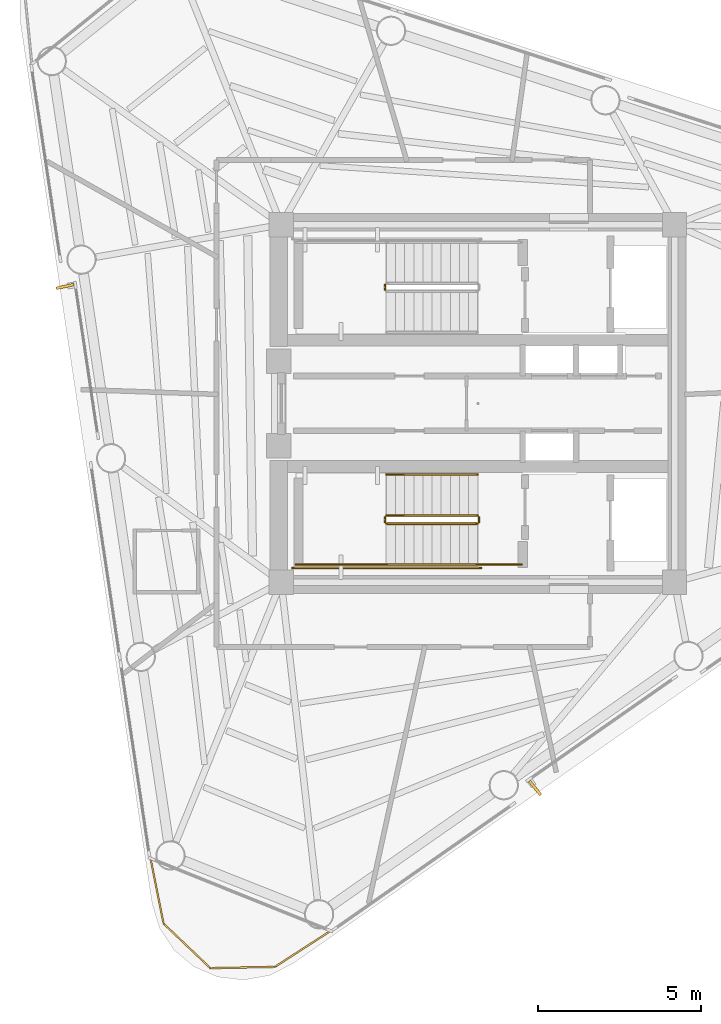
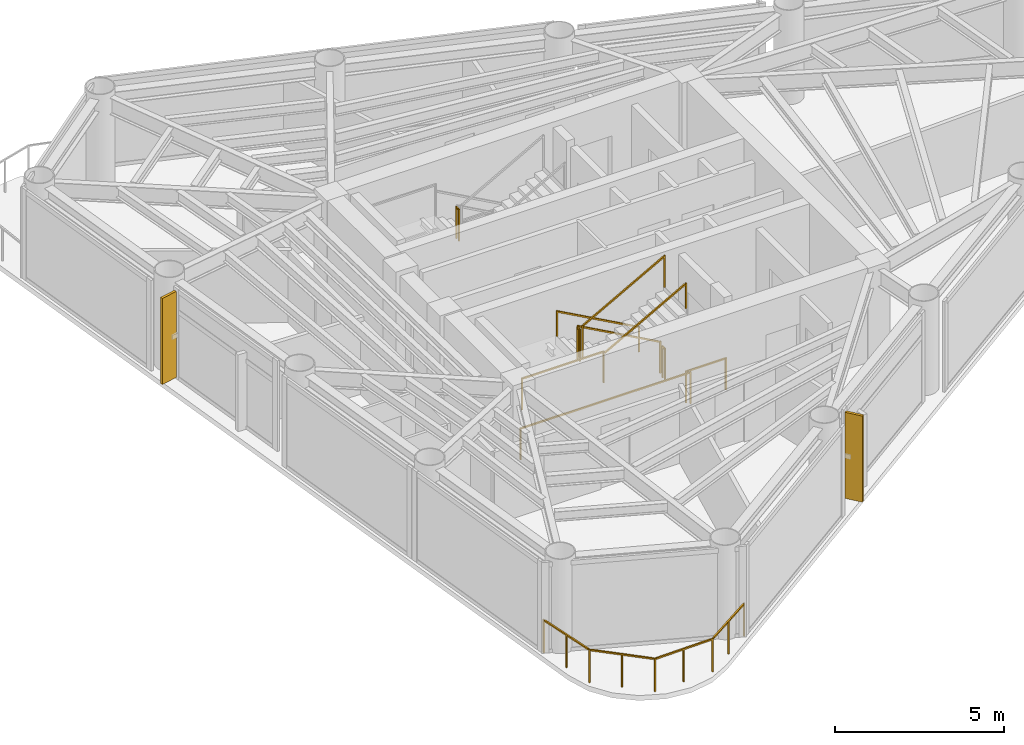
# One storey, part 7 of 9: 11 railings, 2 shading devices.
"""IFC4 building model written with IfcOpenShell, lengths in metres."""

from ifc_helpers import new_model, si_unit, direction, frame, origin, origin_2d, place, context, subcontext, project, spatial, rectangle, extrude, source, transform, mapped, material, material_profile, profile_set, type_object, element, save


model = new_model("IFC4")

# Units and contexts
model_context = context("Model", 3, precision=1e-05, world=origin(), true_north=direction((0.0, 1.0)))
body_context = subcontext(model_context, "Body", "Model", "MODEL_VIEW")
ifc_project = project(units=[si_unit("LENGTHUNIT", "METRE"), si_unit("AREAUNIT", "SQUARE_METRE"), si_unit("VOLUMEUNIT", "CUBIC_METRE"), si_unit("PLANEANGLEUNIT", "RADIAN"), si_unit("MASSUNIT", "GRAM", prefix="KILO")], contexts=[model_context])

# Site, building, storey
site_placement = place(None, origin())
site = spatial("IfcSite", under=ifc_project, at=site_placement, CompositionType="ELEMENT")
building_placement = place(site_placement, origin())
building = spatial("IfcBuilding", under=site, at=building_placement, Name="Yunling Apex Tower", CompositionType="ELEMENT")
storey_placement = place(building_placement, frame((0.0, 0.0, 260.949951171875)))
storey = spatial("IfcBuildingStorey", under=building, at=storey_placement, Name="L63", CompositionType="ELEMENT", Elevation=260.949951171875)

# Railings
ifc_material_1 = material(Name="Bronze anodised aluminium", Category="aluminium")
railing_type_1 = type_object("IfcRailingType", Name="RL-BAL-1200", PredefinedType="BALUSTRADE", material=ifc_material_1)
railing_1_placement = place(storey_placement, frame((-4.528564453125, -16.22509765625, 0.0)))
element("IfcRailing", 1, at=railing_1_placement, inside=storey, type_object=railing_type_1, Name="RL-CRNSILL-L63-3", PredefinedType="BALUSTRADE", context=body_context, shape_type="SweptSolid", body=[
    extrude(rectangle(XDim=0.0439453125, YDim=0.0439453125, at=origin_2d()), origin(), (0.0, 0.0, 1.0), 1.199951171875),
    extrude(rectangle(XDim=0.0439453125, YDim=0.0439453125, at=origin_2d()), frame((-1.718017578125, -1.109130859375, 0.0)), (0.0, 0.0, 1.0), 1.199951171875),
    extrude(rectangle(XDim=0.050048828125, YDim=0.050048828125, at=origin_2d()), frame((-0.0322265625, -0.020751953125, 1.1748046875), z_axis=(-0.840133449473, -0.542379744345, 0.0), x_axis=(0.542379744345, -0.840133449473, 0.0)), (0.0, 0.0, 1.0), 1.96826171875),
    extrude(rectangle(XDim=0.0439453125, YDim=0.0439453125, at=origin_2d()), frame((-0.85888671875, -0.5546875, 0.0)), (0.0, 0.0, 1.0), 1.14599609375),
    extrude(rectangle(XDim=0.0439453125, YDim=0.0439453125, at=origin_2d()), frame((-3.700439453125, -1.147705078125, 0.0)), (0.0, 0.0, 1.0), 1.199951171875),
    extrude(rectangle(XDim=0.050048828125, YDim=0.050048828125, at=origin_2d()), frame((-1.75634765625, -1.10986328125, 1.1748046875), z_axis=(-0.999810744366, -0.019454445518, 0.0), x_axis=(0.019454445518, -0.999810744366, 0.0)), (0.0, 0.0, 1.0), 1.90625),
    extrude(rectangle(XDim=0.0439453125, YDim=0.0439453125, at=origin_2d()), frame((-2.709228515625, -1.12841796875, 0.0)), (0.0, 0.0, 1.0), 1.14599609375),
    extrude(rectangle(XDim=0.0439453125, YDim=0.0439453125, at=origin_2d()), frame((-5.141845703125, 0.223388671875, 0.0)), (0.0, 0.0, 1.0), 1.199951171875),
    extrude(rectangle(XDim=0.050048828125, YDim=0.050048828125, at=origin_2d()), frame((-3.728271484375, -1.121337890625, 1.1748046875), z_axis=(-0.72455806169, 0.689213765998, 0.0), x_axis=(-0.689213765998, -0.72455806169, 0.0)), (0.0, 0.0, 1.0), 1.91259765625),
    extrude(rectangle(XDim=0.0439453125, YDim=0.0439453125, at=origin_2d()), frame((-4.421142578125, -0.462158203125, 0.0)), (0.0, 0.0, 1.0), 1.14599609375),
    extrude(rectangle(XDim=0.0439453125, YDim=0.0439453125, at=origin_2d()), frame((-5.542236328125, 2.228271484375, 0.0)), (0.0, 0.0, 1.0), 1.199951171875),
    extrude(rectangle(XDim=0.050048828125, YDim=0.050048828125, at=origin_2d()), frame((-5.1494140625, 0.260986328125, 1.1748046875), z_axis=(-0.195840554381, 0.980635751571, 0.0), x_axis=(-0.980635751571, -0.195840554381, 0.0)), (0.0, 0.0, 1.0), 1.9677734375),
    extrude(rectangle(XDim=0.0439453125, YDim=0.0439453125, at=origin_2d()), frame((-5.342041015625, 1.225830078125, 0.0)), (0.0, 0.0, 1.0), 1.14599609375),
])
ifc_material_2 = material(Name="Steel Q355B", Category="steel")
railing_type_2 = type_object("IfcRailingType", Name="RL-GRD-1150", PredefinedType="GUARDRAIL", material=ifc_material_2)
railing_2_placement = place(storey_placement, frame((-2.860107421875, 3.64990234375, 1.699951171875)))
element("IfcRailing", 2, at=railing_2_placement, inside=storey, type_object=railing_type_2, Name="L63 ST-1 stair guard 2", PredefinedType="GUARDRAIL", context=body_context, shape_type="SweptSolid", body=[
    extrude(rectangle(XDim=0.0439453125, YDim=0.0439453125, at=origin_2d()), origin(), (0.0, 0.0, 1.0), 1.14990234375),
    extrude(rectangle(XDim=0.0439453125, YDim=0.0439453125, at=origin_2d()), frame((0.0, -0.14990234375, 0.0)), (0.0, 0.0, 1.0), 1.14990234375),
    extrude(rectangle(XDim=0.050048828125, YDim=0.050048828125, at=origin_2d()), frame((0.0, -0.038330078125, 1.125), z_axis=(0.0, -1.0, 0.0), x_axis=(1.0, 0.0, 0.0)), (0.0, 0.0, 1.0), 0.0732421875),
])
railing_3_placement = place(storey_placement, frame((-0.010009765625, -3.449951171875, 0.154541015625)))
element("IfcRailing", 3, at=railing_3_placement, inside=storey, type_object=railing_type_2, Name="L63 ST-2 stair guard 1", PredefinedType="GUARDRAIL", context=body_context, shape_type="SweptSolid", body=[
    extrude(rectangle(XDim=0.0439453125, YDim=0.0439453125, at=origin_2d()), origin(), (0.0, 0.0, 1.0), 1.14990234375),
    extrude(rectangle(XDim=0.0439453125, YDim=0.0439453125, at=origin_2d()), frame((-2.800048828125, 0.0, 1.54541015625)), (0.0, 0.0, 1.0), 1.14990234375),
    extrude(rectangle(XDim=0.050048828125, YDim=0.050048828125, at=origin_2d()), frame((-0.033447265625, 0.0, 1.143310546875), z_axis=(-0.875504190374, 0.0, 0.483210526207), x_axis=(0.0, -1.0, 0.0)), (0.0, 0.0, 1.0), 3.12158203125),
])
railing_4_placement = place(storey_placement, frame((-2.860107421875, -3.5, 1.699951171875)))
element("IfcRailing", 4, at=railing_4_placement, inside=storey, type_object=railing_type_2, Name="L63 ST-2 stair guard 2", PredefinedType="GUARDRAIL", context=body_context, shape_type="SweptSolid", body=[
    extrude(rectangle(XDim=0.0439453125, YDim=0.0439453125, at=origin_2d()), origin(), (0.0, 0.0, 1.0), 1.14990234375),
    extrude(rectangle(XDim=0.0439453125, YDim=0.0439453125, at=origin_2d()), frame((0.0, -0.14990234375, 0.0)), (0.0, 0.0, 1.0), 1.14990234375),
    extrude(rectangle(XDim=0.050048828125, YDim=0.050048828125, at=origin_2d()), frame((0.0, -0.038330078125, 1.125), z_axis=(0.0, -1.0, 0.0), x_axis=(1.0, 0.0, 0.0)), (0.0, 0.0, 1.0), 0.0732421875),
])
railing_5_placement = place(storey_placement, frame((-2.81005859375, -4.9599609375, 1.699951171875)))
element("IfcRailing", 5, at=railing_5_placement, inside=storey, type_object=railing_type_2, Name="L63 ST-2 stair guard 3", PredefinedType="GUARDRAIL", context=body_context, shape_type="SweptSolid", body=[
    extrude(rectangle(XDim=0.0439453125, YDim=0.0439453125, at=origin_2d()), origin(), (0.0, 0.0, 1.0), 1.14990234375),
    extrude(rectangle(XDim=0.0439453125, YDim=0.0439453125, at=origin_2d()), frame((-2.7900390625, 0.0, 0.0)), (0.0, 0.0, 1.0), 1.14990234375),
    extrude(rectangle(XDim=0.050048828125, YDim=0.050048828125, at=origin_2d()), frame((-0.038330078125, 0.0, 1.125), z_axis=(-1.0, 0.0, 0.0), x_axis=(0.0, -1.0, 0.0)), (0.0, 0.0, 1.0), 2.71337890625),
])
railing_6_placement = place(storey_placement, frame((-2.81005859375, -3.699951171875, 1.8544921875)))
element("IfcRailing", 6, at=railing_6_placement, inside=storey, type_object=railing_type_2, Name="L63 ST-2 stair guard 4", PredefinedType="GUARDRAIL", context=body_context, shape_type="SweptSolid", body=[
    extrude(rectangle(XDim=0.0439453125, YDim=0.0439453125, at=origin_2d()), origin(), (0.0, 0.0, 1.0), 1.14990234375),
    extrude(rectangle(XDim=0.0439453125, YDim=0.0439453125, at=origin_2d()), frame((2.800048828125, 0.0, 1.545654296875)), (0.0, 0.0, 1.0), 1.14990234375),
    extrude(rectangle(XDim=0.050048828125, YDim=0.050048828125, at=origin_2d()), frame((0.033447265625, 0.0, 1.143310546875), z_axis=(0.875471895205, 0.0, 0.483269035534), x_axis=(0.0, 1.0, 0.0)), (0.0, 0.0, 1.0), 3.12158203125),
])
railing_7_placement = place(storey_placement, frame((0.0400390625, -3.5, 0.0)))
element("IfcRailing", 7, at=railing_7_placement, inside=storey, type_object=railing_type_2, Name="L63 ST-2 stair guard 5", PredefinedType="GUARDRAIL", context=body_context, shape_type="SweptSolid", body=[
    extrude(rectangle(XDim=0.0439453125, YDim=0.0439453125, at=origin_2d()), origin(), (0.0, 0.0, 1.0), 1.14990234375),
    extrude(rectangle(XDim=0.0439453125, YDim=0.0439453125, at=origin_2d()), frame((0.0, -0.14990234375, 0.0)), (0.0, 0.0, 1.0), 1.14990234375),
    extrude(rectangle(XDim=0.050048828125, YDim=0.050048828125, at=origin_2d()), frame((0.0, -0.038330078125, 1.125), z_axis=(0.0, -1.0, 0.0), x_axis=(1.0, 0.0, 0.0)), (0.0, 0.0, 1.0), 0.0732421875),
])
railing_8_placement = place(storey_placement, frame((1.35009765625, -4.9599609375, 0.0)))
element("IfcRailing", 8, at=railing_8_placement, inside=storey, type_object=railing_type_2, Name="L63 ST-2 stair guard 6", PredefinedType="GUARDRAIL", context=body_context, shape_type="SweptSolid", body=[
    extrude(rectangle(XDim=0.0439453125, YDim=0.0439453125, at=origin_2d()), origin(), (0.0, 0.0, 1.0), 1.14990234375),
    extrude(rectangle(XDim=0.0439453125, YDim=0.0439453125, at=origin_2d()), frame((-1.360107421875, 0.0, 0.0)), (0.0, 0.0, 1.0), 1.14990234375),
    extrude(rectangle(XDim=0.050048828125, YDim=0.050048828125, at=origin_2d()), frame((-0.038330078125, 0.0, 1.125), z_axis=(-1.0, 0.0, 0.0), x_axis=(0.0, -1.0, 0.0)), (0.0, 0.0, 1.0), 1.283447265625),
])
railing_9_placement = place(storey_placement, frame((0.090087890625, -5.06005859375, 0.0)))
element("IfcRailing", 9, at=railing_9_placement, inside=storey, type_object=railing_type_2, Name="L63 ST-2 stair guard 7", PredefinedType="GUARDRAIL", context=body_context, shape_type="SweptSolid", body=[
    extrude(rectangle(XDim=0.0439453125, YDim=0.0439453125, at=origin_2d()), origin(), (0.0, 0.0, 1.0), 1.14990234375),
    extrude(rectangle(XDim=0.0439453125, YDim=0.0439453125, at=origin_2d()), frame((-5.7900390625, 0.0, 0.0)), (0.0, 0.0, 1.0), 1.14990234375),
    extrude(rectangle(XDim=0.050048828125, YDim=0.050048828125, at=origin_2d()), frame((-0.038330078125, 0.0, 1.125), z_axis=(-1.0, 0.0, 0.0), x_axis=(0.0, -1.0, 0.0)), (0.0, 0.0, 1.0), 5.71337890625),
])
ifc_material_3 = material(Name="Silver anodised aluminium", Category="aluminium")
railing_type_3 = type_object("IfcRailingType", Name="RL-HND-900", PredefinedType="HANDRAIL", material=ifc_material_3)
railing_10_placement = place(storey_placement, frame((-0.010009765625, -2.18994140625, 0.154541015625)))
element("IfcRailing", 10, at=railing_10_placement, inside=storey, type_object=railing_type_3, Name="L63 ST-2 stair handrail 1", PredefinedType="HANDRAIL", context=body_context, shape_type="SweptSolid", body=[
    extrude(rectangle(XDim=0.0439453125, YDim=0.0439453125, at=origin_2d()), origin(), (0.0, 0.0, 1.0), 0.919921875),
    extrude(rectangle(XDim=0.0439453125, YDim=0.0439453125, at=origin_2d()), frame((-2.800048828125, 0.0, 1.54541015625)), (0.0, 0.0, 1.0), 0.919921875),
    extrude(rectangle(XDim=0.050048828125, YDim=0.050048828125, at=origin_2d()), frame((-0.033447265625, 0.0, 0.913330078125), z_axis=(-0.875504190374, 0.0, 0.483210526207), x_axis=(0.0, -1.0, 0.0)), (0.0, 0.0, 1.0), 3.12158203125),
])
railing_11_placement = place(storey_placement, frame((-2.81005859375, -4.9599609375, 1.8544921875)))
element("IfcRailing", 11, at=railing_11_placement, inside=storey, type_object=railing_type_3, Name="L63 ST-2 stair handrail 2", PredefinedType="HANDRAIL", context=body_context, shape_type="SweptSolid", body=[
    extrude(rectangle(XDim=0.0439453125, YDim=0.0439453125, at=origin_2d()), origin(), (0.0, 0.0, 1.0), 0.919921875),
    extrude(rectangle(XDim=0.0439453125, YDim=0.0439453125, at=origin_2d()), frame((2.800048828125, 0.0, 1.545654296875)), (0.0, 0.0, 1.0), 0.919921875),
    extrude(rectangle(XDim=0.050048828125, YDim=0.050048828125, at=origin_2d()), frame((0.033447265625, 0.0, 0.913330078125), z_axis=(0.875471895205, 0.0, 0.483269035534), x_axis=(0.0, 1.0, 0.0)), (0.0, 0.0, 1.0), 3.12158203125),
])

# Shading devices
ifc_material_profile = material_profile(ifc_material_1, rectangle(XDim=0.0849609375, YDim=0.550048828125, at=origin_2d()))
ifc_profile_set = profile_set([ifc_material_profile], Name="Bronze anodised aluminium")
shading_device_type = type_object("IfcShadingDeviceType", Name="FN-BRZ-3", PredefinedType="USERDEFINED", material=ifc_profile_set)
shared_shape = source(origin(), body_context, "Body", "SweptSolid", [
    extrude(rectangle(XDim=0.0849609375, YDim=0.550048828125, at=origin_2d()), origin(), (0.0, 0.0, 1.0), 3.10009765625),
])
for number, where, z_axis, x_axis, name in (
    (12, (1.76171875, -11.8330078125, 0.06005859375), (0.0, 0.0, 1.0), (0.780321270022, 0.625378857614, 0.0), "CW-L63-F1-B2-FIN-01"),
    (13, (-12.705322265625, 3.598876953125, 0.06005859375), (0.0, 0.0, 1.0), (0.212177672156, -0.977231106463, 0.0), "CW-L63-F3-B2-FIN-01"),
):
    element("IfcShadingDevice", number, at=place(storey_placement, frame(where, z_axis=z_axis, x_axis=x_axis)), inside=storey, type_object=shading_device_type, Name=name, ObjectType="FIN", PredefinedType="USERDEFINED", context=body_context, shape_type="MappedRepresentation", body=[
        mapped(shared_shape, transform((0.0, 0.0, 0.0), scale=1.0)),
    ])

save(model, "model.ifc")
